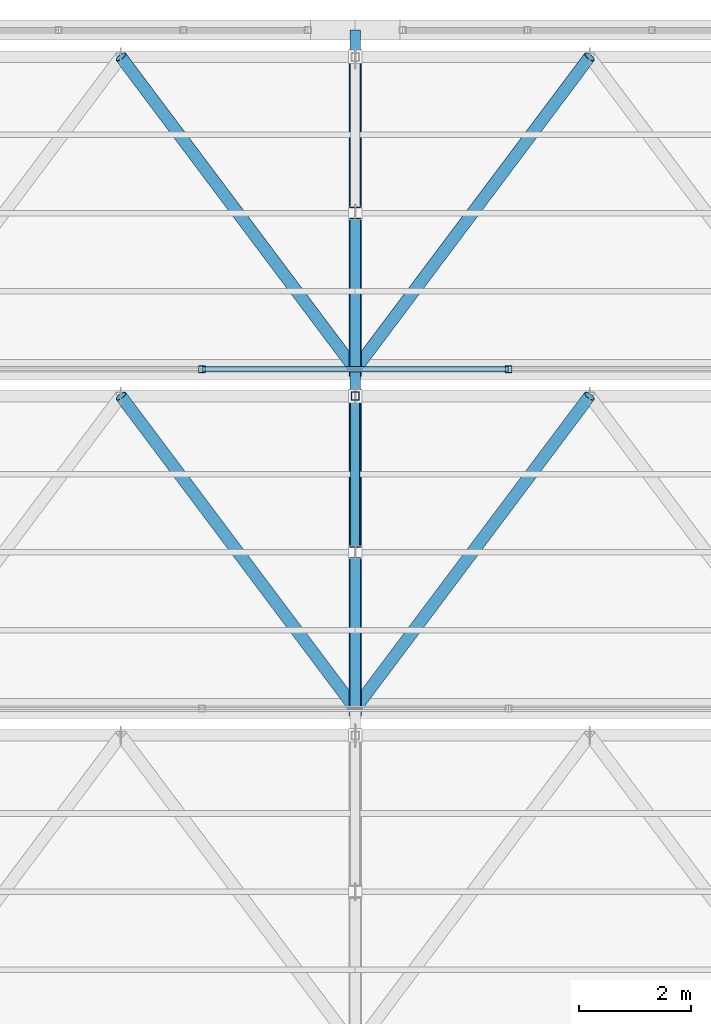
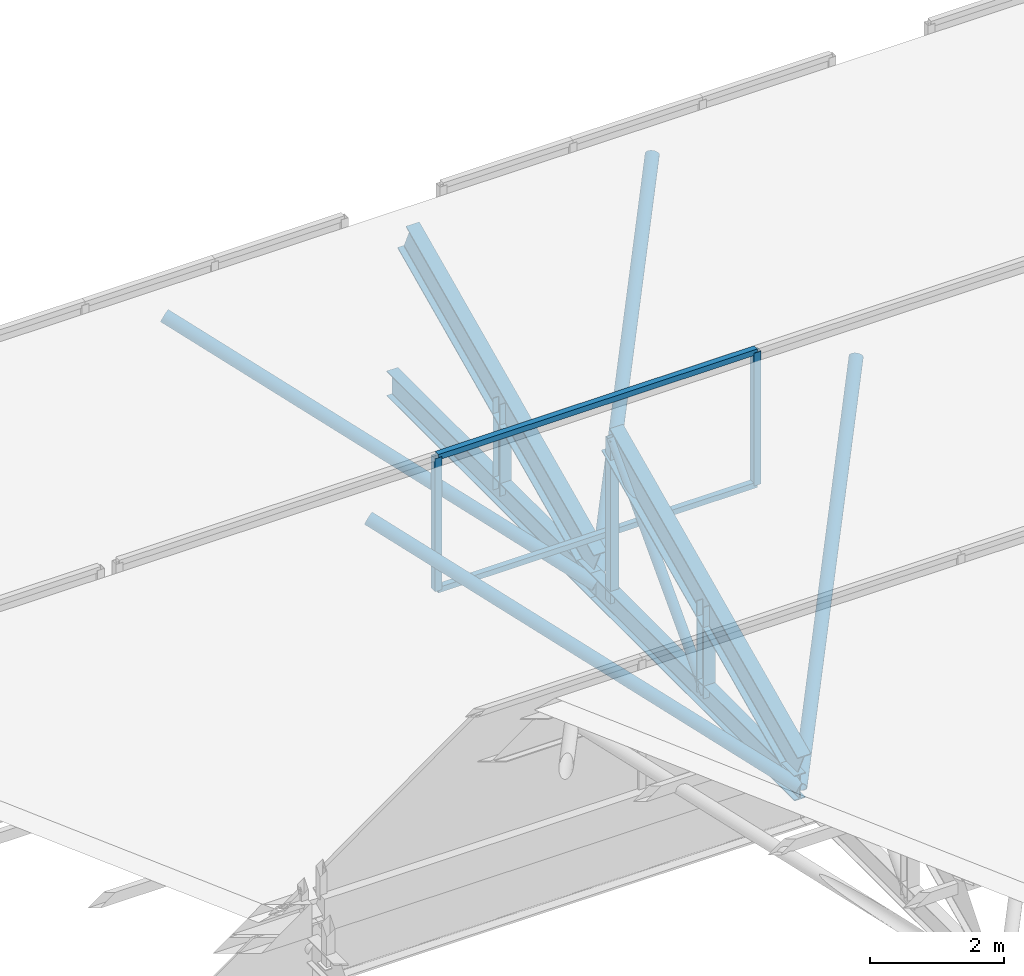
# One storey, part 122 of 217: 16 members, 1 element without a shape of its own.
"""IFC4 building model written with IfcOpenShell, lengths in metres."""

from ifc_helpers import new_model, si_unit, direction, frame, origin, origin_2d, place, context, subcontext, project, spatial, hollow_rectangle, hollow_circle, i_section, extrude, material, material_profile, profile_set, type_object, element, aggregate, save


model = new_model("IFC4")

# Units and contexts
model_context = context("Model", 3, precision=1e-05, world=origin(), true_north=direction((0.0, 1.0)))
body_context = subcontext(model_context, "Body", "Model", "MODEL_VIEW")
ifc_project = project(units=[si_unit("LENGTHUNIT", "METRE"), si_unit("AREAUNIT", "SQUARE_METRE"), si_unit("VOLUMEUNIT", "CUBIC_METRE"), si_unit("PLANEANGLEUNIT", "RADIAN"), si_unit("MASSUNIT", "GRAM", prefix="KILO")], contexts=[model_context])

# Site, building, storey
site_placement = place(None, origin())
site = spatial("IfcSite", under=ifc_project, at=site_placement, CompositionType="ELEMENT")
building_placement = place(site_placement, origin())
building = spatial("IfcBuilding", under=site, at=building_placement, Name="Zuvorla Pavilion Media Centre", CompositionType="ELEMENT")
storey_placement = place(building_placement, frame((0.0, 0.0, 9.60009765625)))
storey = spatial("IfcBuildingStorey", under=building, at=storey_placement, Name="L02", CompositionType="ELEMENT", Elevation=9.60009765625)

# Curtain wall, members
ifc_material_1 = material(Name="Unitised anodised aluminium and solar glass curtain wall", Category="aluminium")
curtain_wall_type = type_object("IfcCurtainWallType", Name="CW-SYS-88", PredefinedType="USERDEFINED", material=ifc_material_1)
curtain_wall_placement = place(storey_placement, origin())
curtain_wall = element("IfcCurtainWall", 1, at=curtain_wall_placement, inside=storey, type_object=curtain_wall_type, Name="L02 curtain wall CW88 214", ObjectType="CURTAIN WALL", PredefinedType="USERDEFINED")
ifc_material_2 = material(Name="Anodised aluminium 6063-T6", Category="aluminium")
ifc_material_profile_1 = material_profile(ifc_material_2, hollow_rectangle(XDim=0.1201171875, YDim=0.1201171875, WallThickness=0.0048828125, at=origin_2d()), Name="ALU MULL 120x120")
ifc_profile_set_1 = profile_set([ifc_material_profile_1], Name="Anodised aluminium 6063-T6")
member_type_1 = type_object("IfcMemberType", Name="CW-MULL-120", PredefinedType="MULLION", material=ifc_profile_set_1)
member_1_placement = place(storey_placement, frame((106.05322265625, 113.919921875, 0.0), z_axis=(0.0, 0.0, 1.0), x_axis=(1.0, 0.0, 0.0)))
member_1 = element("IfcMember", 2, at=member_1_placement, type_object=member_type_1, Name="CW88 mullion 2", PredefinedType="MULLION", context=body_context, shape_type="SweptSolid", body=[
    extrude(hollow_rectangle(XDim=0.1201171875, YDim=0.1201171875, WallThickness=0.0048828125, at=origin_2d()), origin(), (0.0, 0.0, 1.0), 2.419921875),
])
member_2_placement = place(storey_placement, frame((111.546630859375, 113.919921875, 0.0), z_axis=(0.0, 0.0, 1.0), x_axis=(1.0, 0.0, 0.0)))
member_2 = element("IfcMember", 3, at=member_2_placement, type_object=member_type_1, Name="CW88 mullion 3", PredefinedType="MULLION", context=body_context, shape_type="SweptSolid", body=[
    extrude(hollow_rectangle(XDim=0.1201171875, YDim=0.1201171875, WallThickness=0.0048828125, at=origin_2d()), origin(), (0.0, 0.0, 1.0), 2.419921875),
])
ifc_material_profile_2 = material_profile(ifc_material_2, hollow_rectangle(XDim=0.10009765625, YDim=0.10009765625, WallThickness=0.00439453125, at=origin_2d()), Name="ALU TRAN 100x100")
ifc_profile_set_2 = profile_set([ifc_material_profile_2], Name="Anodised aluminium 6063-T6")
member_type_2 = type_object("IfcMemberType", Name="CW-TRAN-100", PredefinedType="USERDEFINED", material=ifc_profile_set_2)
member_3_placement = place(storey_placement, frame((106.05322265625, 113.919921875, 0.0), z_axis=(1.0, 0.0, 0.0), x_axis=(0.0, 1.0, 0.0)))
member_3 = element("IfcMember", 4, at=member_3_placement, type_object=member_type_2, Name="CW88 transom 2.1", ObjectType="TRANSOM", PredefinedType="USERDEFINED", context=body_context, shape_type="SweptSolid", body=[
    extrude(hollow_rectangle(XDim=0.10009765625, YDim=0.10009765625, WallThickness=0.00439453125, at=origin_2d()), origin(), (0.0, 0.0, 1.0), 5.493408203125),
])
member_4_placement = place(storey_placement, frame((106.05322265625, 113.919921875, 2.419921875), z_axis=(1.0, 0.0, 0.0), x_axis=(0.0, 1.0, 0.0)))
member_4 = element("IfcMember", 5, at=member_4_placement, type_object=member_type_2, Name="CW88 transom 2.2", ObjectType="TRANSOM", PredefinedType="USERDEFINED", context=body_context, shape_type="SweptSolid", body=[
    extrude(hollow_rectangle(XDim=0.10009765625, YDim=0.10009765625, WallThickness=0.00439453125, at=origin_2d()), origin(), (0.0, 0.0, 1.0), 5.493408203125),
])
aggregate(curtain_wall, [member_1, member_2, member_3, member_4])

# Members
ifc_material_3 = material(Name="Steel S355", Category="steel")
ifc_material_profile_3 = material_profile(ifc_material_3, hollow_circle(Radius=0.084228515625, WallThickness=0.008056640625, at=origin_2d()), Name="CHS 168.3x8")
ifc_profile_set_3 = profile_set([ifc_material_profile_3], Name="Steel S355")
member_type_3 = type_object("IfcMemberType", Name="MEM-BRC-CHS168", PredefinedType="BRACE", material=ifc_profile_set_3)
member_5_placement = place(storey_placement, frame((108.800048828125, 110.639892578125, -0.880126953125), z_axis=(0.0, 0.68676242614, 0.726881950555), x_axis=(-1.0, 0.0, 0.0)))
element("IfcMember", 6, at=member_5_placement, inside=storey, type_object=member_type_3, Name="L02 diagonal brace TB03 340", PredefinedType="BRACE", context=body_context, shape_type="SweptSolid", body=[
    extrude(hollow_circle(Radius=0.084228515625, WallThickness=0.008056640625, at=origin_2d()), origin(), (0.0, 0.0, 1.0), 4.0771484375),
])
ifc_material_profile_4 = material_profile(ifc_material_3, hollow_circle(Radius=0.109619140625, WallThickness=0.010009765625, at=origin_2d()), Name="CHS 219.1x10")
ifc_profile_set_4 = profile_set([ifc_material_profile_4], Name="Steel S355")
member_type_4 = type_object("IfcMemberType", Name="MEM-BRC-CHS219", PredefinedType="BRACE", material=ifc_profile_set_4)
for number, where, z_axis, x_axis, name in (
    (7, (104.60009765625, 113.43994140625, 2.08349609375), (0.552524670006, -0.736688854033, -0.389879495972), (0.799995814625, 0.600005580459, 0.0), "L02 diagonal brace TB02 383"),
    (8, (108.800048828125, 107.840087890625, -0.880126953125), (0.552524670006, 0.736688854033, 0.389879495972), (-0.799995814625, 0.600005580459, 0.0), "L02 diagonal brace TB02 388"),
):
    element("IfcMember", number, at=place(storey_placement, frame(where, z_axis=z_axis, x_axis=x_axis)), inside=storey, type_object=member_type_4, Name=name, PredefinedType="BRACE", context=body_context, shape_type="SweptSolid", body=[
        extrude(hollow_circle(Radius=0.109619140625, WallThickness=0.010009765625, at=origin_2d()), origin(), (0.0, 0.0, 1.0), 7.601318359375),
    ])
for number, where, z_axis, x_axis, name in (
    (9, (104.60009765625, 119.52001953125, 2.08349609375), (0.552511596944, -0.736703540702, -0.389870271191), (0.800008370399, 0.599988839305, 0.0), "L02 diagonal brace TB02 476"),
    (10, (108.800048828125, 113.919921875, -0.880126953125), (0.552511596944, 0.736703540702, 0.389870271191), (-0.800008370399, 0.599988839305, 0.0), "L02 diagonal brace TB02 481"),
):
    element("IfcMember", number, at=place(storey_placement, frame(where, z_axis=z_axis, x_axis=x_axis)), inside=storey, type_object=member_type_4, Name=name, PredefinedType="BRACE", context=body_context, shape_type="SweptSolid", body=[
        extrude(hollow_circle(Radius=0.109619140625, WallThickness=0.010009765625, at=origin_2d()), origin(), (0.0, 0.0, 1.0), 7.6015625),
    ])
ifc_material_profile_5 = material_profile(ifc_material_3, i_section(OverallWidth=0.19140625, OverallDepth=0.4599609375, WebThickness=0.010009765625, FlangeThickness=0.01611328125, FilletRadius=0.01025390625, at=origin_2d()), Name="UB 457x191x82")
ifc_profile_set_5 = profile_set([ifc_material_profile_5], Name="Steel S355")
member_type_5 = type_object("IfcMemberType", Name="MEM-CHD-UB457", PredefinedType="CHORD", material=ifc_profile_set_5)
member_6_placement = place(storey_placement, frame((108.800048828125, 107.840087890625, -0.880126953125), z_axis=(0.0, 1.0, 0.0), x_axis=(-1.0, 0.0, 0.0)))
element("IfcMember", 11, at=member_6_placement, inside=storey, type_object=member_type_5, Name="L02 chord TC03 337", PredefinedType="CHORD", context=body_context, shape_type="SweptSolid", body=[
    extrude(i_section(OverallWidth=0.19140625, OverallDepth=0.4599609375, WebThickness=0.010009765625, FlangeThickness=0.01611328125, FilletRadius=0.01025390625, at=origin_2d()), origin(), (0.0, 0.0, 1.0), 6.079833984375),
])
member_7_placement = place(storey_placement, frame((108.800048828125, 113.919921875, -0.880126953125), z_axis=(0.0, 1.0, 0.0), x_axis=(-1.0, 0.0, 0.0)))
element("IfcMember", 12, at=member_7_placement, inside=storey, type_object=member_type_5, Name="L02 chord TC03 430", PredefinedType="CHORD", context=body_context, shape_type="SweptSolid", body=[
    extrude(i_section(OverallWidth=0.19140625, OverallDepth=0.4599609375, WebThickness=0.010009765625, FlangeThickness=0.01611328125, FilletRadius=0.01025390625, at=origin_2d()), origin(), (0.0, 0.0, 1.0), 6.080078125),
])
ifc_material_profile_6 = material_profile(ifc_material_3, i_section(OverallWidth=0.22900390625, OverallDepth=0.6123046875, WebThickness=0.011962890625, FlangeThickness=0.01953125, FilletRadius=0.0126953125, at=origin_2d()), Name="UB 610x229x125")
ifc_profile_set_6 = profile_set([ifc_material_profile_6], Name="Steel S355")
member_type_6 = type_object("IfcMemberType", Name="MEM-CHD-UB610", PredefinedType="CHORD", material=ifc_profile_set_6)
member_8_placement = place(storey_placement, frame((108.800048828125, 107.840087890625, -0.5166015625), z_axis=(0.0, 0.906998718654, 0.421133380724), x_axis=(-1.0, 0.0, 0.0)))
element("IfcMember", 13, at=member_8_placement, inside=storey, type_object=member_type_6, Name="L02 chord TC01 338", PredefinedType="CHORD", context=body_context, shape_type="SweptSolid", body=[
    extrude(i_section(OverallWidth=0.22900390625, OverallDepth=0.6123046875, WebThickness=0.011962890625, FlangeThickness=0.01953125, FilletRadius=0.0126953125, at=origin_2d()), origin(), (0.0, 0.0, 1.0), 6.174072265625),
])
member_9_placement = place(storey_placement, frame((108.800048828125, 113.919921875, -0.5166015625), z_axis=(0.0, 0.907005731366, 0.421118277053), x_axis=(-1.0, 0.0, 0.0)))
element("IfcMember", 14, at=member_9_placement, inside=storey, type_object=member_type_6, Name="L02 chord TC01 431", PredefinedType="CHORD", context=body_context, shape_type="SweptSolid", body=[
    extrude(i_section(OverallWidth=0.22900390625, OverallDepth=0.6123046875, WebThickness=0.011962890625, FlangeThickness=0.01953125, FilletRadius=0.0126953125, at=origin_2d()), origin(), (0.0, 0.0, 1.0), 6.17431640625),
])
ifc_material_profile_7 = material_profile(ifc_material_3, hollow_rectangle(XDim=0.14990234375, YDim=0.14990234375, WallThickness=0.008056640625, at=origin_2d()), Name="SHS 150x150x8")
ifc_profile_set_7 = profile_set([ifc_material_profile_7], Name="Steel S355")
member_type_7 = type_object("IfcMemberType", Name="MEM-STR-SHS150", PredefinedType="STRUT", material=ifc_profile_set_7)
member_10_placement = place(storey_placement, frame((108.800048828125, 113.43994140625, -0.880126953125), z_axis=(0.0, 0.0, 1.0), x_axis=(1.0, 0.0, 0.0)))
element("IfcMember", 15, at=member_10_placement, inside=storey, type_object=member_type_7, Name="L02 vertical strut TS01 339", PredefinedType="STRUT", context=body_context, shape_type="SweptSolid", body=[
    extrude(hollow_rectangle(XDim=0.14990234375, YDim=0.14990234375, WallThickness=0.008056640625, at=origin_2d()), origin(), (0.0, 0.0, 1.0), 2.963623046875),
])
ifc_material_profile_8 = material_profile(ifc_material_3, i_section(OverallWidth=0.205810546875, OverallDepth=0.209716796875, WebThickness=0.009521484375, FlangeThickness=0.01416015625, FilletRadius=0.01025390625, at=origin_2d()), Name="UC 203x203x60")
ifc_profile_set_8 = profile_set([ifc_material_profile_8], Name="Steel S355")
member_type_8 = type_object("IfcMemberType", Name="MEM-STR-UC203", PredefinedType="STRUT", material=ifc_profile_set_8)
for number, where, z_axis, x_axis, name in (
    (16, (108.800048828125, 110.639892578125, -0.880126953125), (0.0, 0.0, 1.0), (1.0, 0.0, 0.0), "L02 vertical strut TS02 341"),
    (17, (108.800048828125, 116.719970703125, -0.880126953125), (0.0, 0.0, 1.0), (1.0, 0.0, 0.0), "L02 vertical strut TS02 434"),
):
    element("IfcMember", number, at=place(storey_placement, frame(where, z_axis=z_axis, x_axis=x_axis)), inside=storey, type_object=member_type_8, Name=name, PredefinedType="STRUT", context=body_context, shape_type="SweptSolid", body=[
        extrude(i_section(OverallWidth=0.205810546875, OverallDepth=0.209716796875, WebThickness=0.009521484375, FlangeThickness=0.01416015625, FilletRadius=0.01025390625, at=origin_2d()), origin(), (0.0, 0.0, 1.0), 1.66357421875),
    ])

save(model, "model.ifc")
